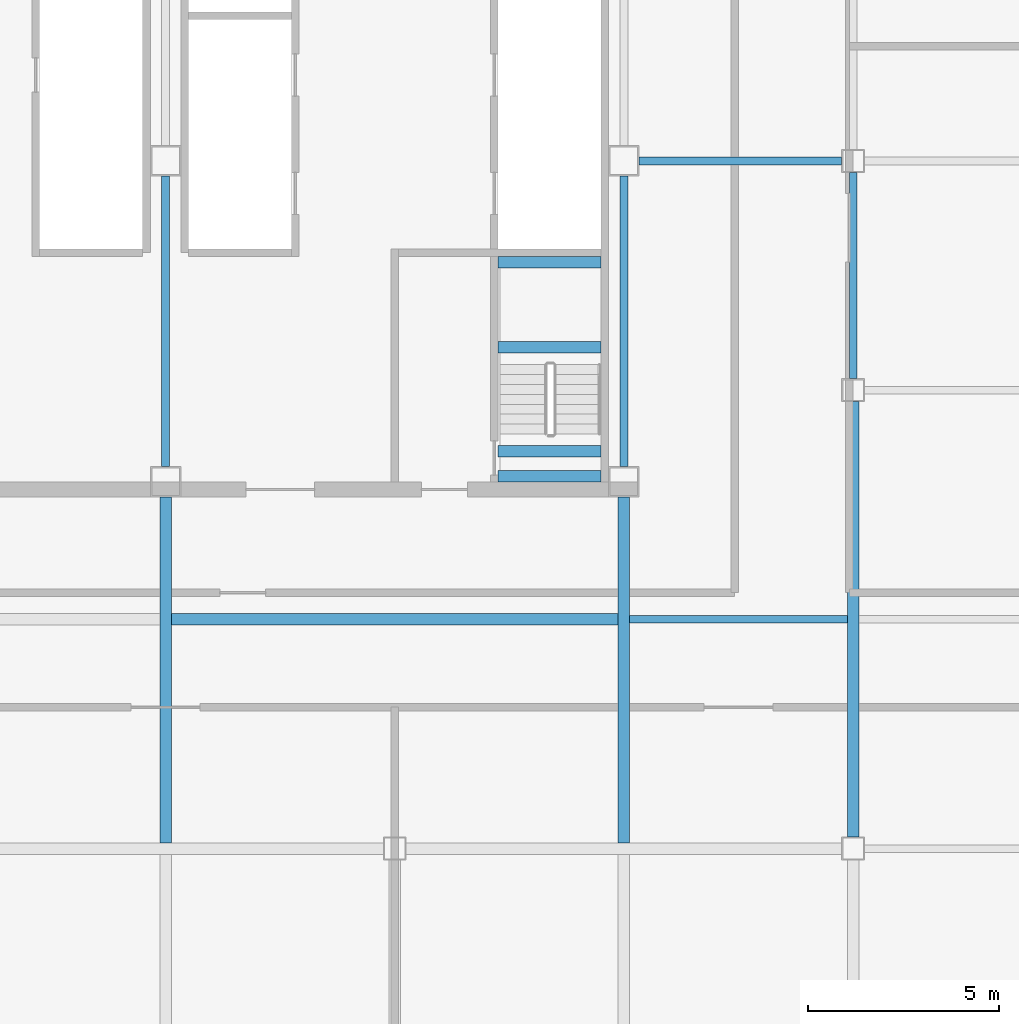
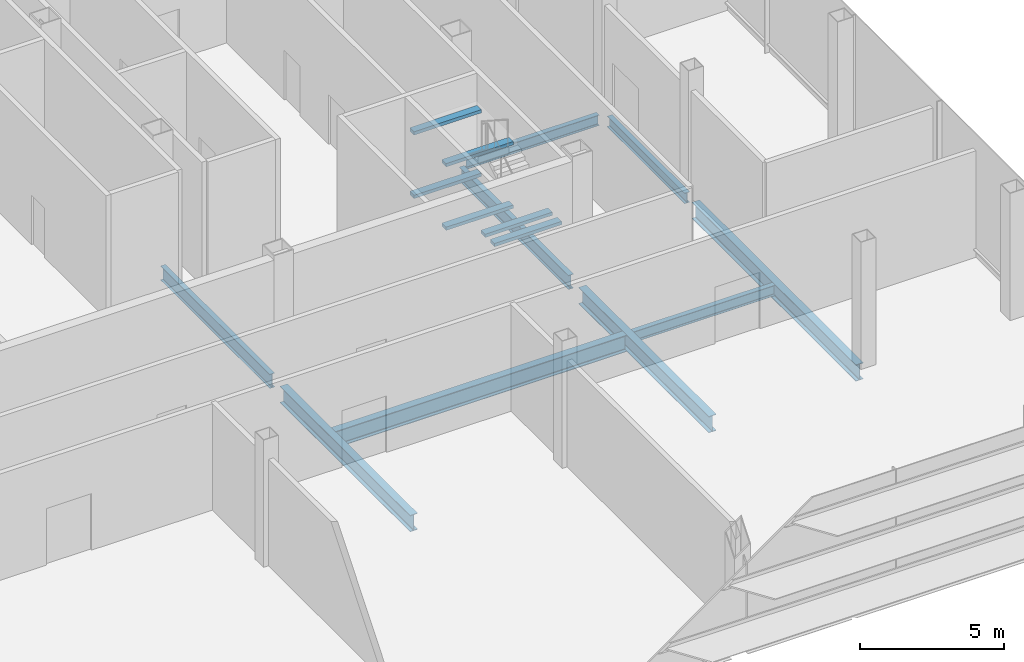
# One storey, part 9 of 25: 15 beams.
"""IFC4 building model written with IfcOpenShell, lengths in metres."""

from ifc_helpers import new_model, si_unit, direction, frame, origin, origin_2d, place, context, subcontext, project, spatial, rectangle, i_section, extrude, material, material_profile, profile_set, type_object, element, save


model = new_model("IFC4")

# Units and contexts
model_context = context("Model", 3, precision=1e-05, world=origin(), true_north=direction((0.0, 1.0)))
body_context = subcontext(model_context, "Body", "Model", "MODEL_VIEW")
ifc_project = project(units=[si_unit("LENGTHUNIT", "METRE"), si_unit("AREAUNIT", "SQUARE_METRE"), si_unit("VOLUMEUNIT", "CUBIC_METRE"), si_unit("PLANEANGLEUNIT", "RADIAN"), si_unit("MASSUNIT", "GRAM", prefix="KILO")], contexts=[model_context])

# Site, building, storey
site_placement = place(None, origin())
site = spatial("IfcSite", under=ifc_project, at=site_placement, CompositionType="ELEMENT")
building_placement = place(site_placement, origin())
building = spatial("IfcBuilding", under=site, at=building_placement, Name="Sorahane Residences", CompositionType="ELEMENT")
storey_placement = place(building_placement, frame((0.0, 0.0, 210.0)))
storey = spatial("IfcBuildingStorey", under=building, at=storey_placement, Name="L49", CompositionType="ELEMENT", Elevation=210.0)

# Beams
ifc_material_1 = material(Name="Concrete C40", Category="concrete")
ifc_material_profile_1 = material_profile(ifc_material_1, rectangle(XDim=0.300048828125, YDim=0.139892578125, at=origin_2d()), Name="300x140")
ifc_profile_set_1 = profile_set([ifc_material_profile_1], Name="Concrete C40")
beam_type_1 = type_object("IfcBeamType", Name="RC landing beam 300 x 140 Concrete C40", PredefinedType="BEAM", material=ifc_profile_set_1)
for number, where, z_axis, x_axis, name in (
    (1, (38.699951171875, 25.1201171875, 1.080078125), (1.0, 0.0, 0.0), (0.0, 1.0, 0.0), "Landing beam"),
    (2, (38.699951171875, 27.35009765625, 1.080078125), (1.0, 0.0, 0.0), (0.0, 1.0, 0.0), "Landing beam"),
    (3, (38.699951171875, 21.75, 2.429931640625), (1.0, 0.0, 0.0), (0.0, 1.0, 0.0), "Landing beam"),
    (4, (38.699951171875, 22.39990234375, 2.429931640625), (1.0, 0.0, 0.0), (0.0, 1.0, 0.0), "Landing beam"),
    (5, (38.699951171875, 25.1201171875, 3.780029296875), (1.0, 0.0, 0.0), (0.0, 1.0, 0.0), "Landing beam"),
    (6, (38.699951171875, 27.35009765625, 3.780029296875), (1.0, 0.0, 0.0), (0.0, 1.0, 0.0), "Landing beam"),
):
    element("IfcBeam", number, at=place(storey_placement, frame(where, z_axis=z_axis, x_axis=x_axis)), inside=storey, type_object=beam_type_1, Name=name, PredefinedType="BEAM", context=body_context, shape_type="SweptSolid", body=[
        extrude(rectangle(XDim=0.300048828125, YDim=0.139892578125, at=origin_2d()), origin(), (0.0, 0.0, 1.0), 2.699951171875),
    ])
ifc_material_2 = material(Name="Steel Q355B", Category="steel")
ifc_material_profile_2 = material_profile(ifc_material_2, i_section(OverallWidth=0.199951171875, OverallDepth=0.449951171875, WebThickness=0.009033203125, FlangeThickness=0.013916015625, FilletRadius=0.02001953125, at=origin_2d()), Name="HN 450x200x9x14")
ifc_profile_set_2 = profile_set([ifc_material_profile_2], Name="Steel Q355B")
beam_type_2 = type_object("IfcBeamType", Name="Steel floor beam HN 450x200x9x14 Q355B", PredefinedType="BEAM", material=ifc_profile_set_2)
beam_1_placement = place(storey_placement, frame((48.0, 24.300048828125, -0.445068359375), z_axis=(0.0, 1.0, 0.0), x_axis=(-1.0, 0.0, 0.0)))
element("IfcBeam", 7, at=beam_1_placement, inside=storey, type_object=beam_type_2, Name="Beam L49 060", PredefinedType="BEAM", context=body_context, shape_type="SweptSolid", body=[
    extrude(i_section(OverallWidth=0.199951171875, OverallDepth=0.449951171875, WebThickness=0.009033203125, FlangeThickness=0.013916015625, FilletRadius=0.02001953125, at=origin_2d()), origin(), (0.0, 0.0, 1.0), 5.39990234375),
])
beam_2_placement = place(storey_placement, frame((42.14990234375, 18.0, -0.445068359375), z_axis=(1.0, 0.0, 0.0), x_axis=(0.0, 1.0, 0.0)))
element("IfcBeam", 8, at=beam_2_placement, inside=storey, type_object=beam_type_2, Name="Beam L49 083", PredefinedType="BEAM", context=body_context, shape_type="SweptSolid", body=[
    extrude(i_section(OverallWidth=0.199951171875, OverallDepth=0.449951171875, WebThickness=0.009033203125, FlangeThickness=0.013916015625, FilletRadius=0.02001953125, at=origin_2d()), origin(), (0.0, 0.0, 1.0), 5.7001953125),
])
beam_3_placement = place(storey_placement, frame((42.39990234375, 30.0, -0.445068359375), z_axis=(1.0, 0.0, 0.0), x_axis=(0.0, 1.0, 0.0)))
element("IfcBeam", 9, at=beam_3_placement, inside=storey, type_object=beam_type_2, Name="Beam L49 087", PredefinedType="BEAM", context=body_context, shape_type="SweptSolid", body=[
    extrude(i_section(OverallWidth=0.199951171875, OverallDepth=0.449951171875, WebThickness=0.009033203125, FlangeThickness=0.013916015625, FilletRadius=0.02001953125, at=origin_2d()), origin(), (0.0, 0.0, 1.0), 5.300048828125),
])
ifc_material_3 = material(Name="Steel Q355B", Category="steel")
ifc_material_profile_3 = material_profile(ifc_material_3, i_section(OverallWidth=0.199951171875, OverallDepth=0.60009765625, WebThickness=0.010986328125, FlangeThickness=0.01708984375, FilletRadius=0.02392578125, at=origin_2d()), Name="HN 600x200x11x17")
ifc_profile_set_3 = profile_set([ifc_material_profile_3], Name="Steel Q355B")
beam_type_3 = type_object("IfcBeamType", Name="Steel floor beam HN 600x200x11x17 Q355B", PredefinedType="BEAM", material=ifc_profile_set_3)
for number, where, z_axis, x_axis, name in (
    (10, (30.0, 22.0, -0.52001953125), (0.0, 1.0, 0.0), (-1.0, 0.0, 0.0), "Beam L49 046"),
    (11, (42.0, 22.0, -0.52001953125), (0.0, 1.0, 0.0), (-1.0, 0.0, 0.0), "Beam L49 054"),
):
    element("IfcBeam", number, at=place(storey_placement, frame(where, z_axis=z_axis, x_axis=x_axis)), inside=storey, type_object=beam_type_3, Name=name, PredefinedType="BEAM", context=body_context, shape_type="SweptSolid", body=[
        extrude(i_section(OverallWidth=0.199951171875, OverallDepth=0.60009765625, WebThickness=0.010986328125, FlangeThickness=0.01708984375, FilletRadius=0.02392578125, at=origin_2d()), origin(), (0.0, 0.0, 1.0), 7.60009765625),
    ])
ifc_material_4 = material(Name="Steel Q355B", Category="steel")
ifc_material_profile_4 = material_profile(ifc_material_4, i_section(OverallWidth=0.300048828125, OverallDepth=0.699951171875, WebThickness=0.012939453125, FlangeThickness=0.02392578125, FilletRadius=0.028076171875, at=origin_2d()), Name="HN 700x300x13x24")
ifc_profile_set_4 = profile_set([ifc_material_profile_4], Name="Steel Q355B")
beam_type_4 = type_object("IfcBeamType", Name="Steel floor beam HN 700x300x13x24 Q355B", PredefinedType="BEAM", material=ifc_profile_set_4)
for number, where, z_axis, x_axis, name in (
    (12, (30.0, 12.14990234375, -0.570068359375), (0.0, 1.0, 0.0), (-1.0, 0.0, 0.0), "Beam L49 045"),
    (13, (42.0, 12.14990234375, -0.570068359375), (0.0, 1.0, 0.0), (-1.0, 0.0, 0.0), "Beam L49 053"),
):
    element("IfcBeam", number, at=place(storey_placement, frame(where, z_axis=z_axis, x_axis=x_axis)), inside=storey, type_object=beam_type_4, Name=name, PredefinedType="BEAM", context=body_context, shape_type="SweptSolid", body=[
        extrude(i_section(OverallWidth=0.300048828125, OverallDepth=0.699951171875, WebThickness=0.012939453125, FlangeThickness=0.02392578125, FilletRadius=0.028076171875, at=origin_2d()), origin(), (0.0, 0.0, 1.0), 9.050048828125),
    ])
beam_4_placement = place(storey_placement, frame((48.0, 12.300048828125, -0.570068359375), z_axis=(0.0, 1.0, 0.0), x_axis=(-1.0, 0.0, 0.0)))
element("IfcBeam", 14, at=beam_4_placement, inside=storey, type_object=beam_type_4, Name="Beam L49 059", PredefinedType="BEAM", context=body_context, shape_type="SweptSolid", body=[
    extrude(i_section(OverallWidth=0.300048828125, OverallDepth=0.699951171875, WebThickness=0.012939453125, FlangeThickness=0.02392578125, FilletRadius=0.028076171875, at=origin_2d()), origin(), (0.0, 0.0, 1.0), 11.39990234375),
])
beam_5_placement = place(storey_placement, frame((30.14990234375, 18.0, -0.570068359375), z_axis=(1.0, 0.0, 0.0), x_axis=(0.0, 1.0, 0.0)))
element("IfcBeam", 15, at=beam_5_placement, inside=storey, type_object=beam_type_4, Name="Beam L49 082", PredefinedType="BEAM", context=body_context, shape_type="SweptSolid", body=[
    extrude(i_section(OverallWidth=0.300048828125, OverallDepth=0.699951171875, WebThickness=0.012939453125, FlangeThickness=0.02392578125, FilletRadius=0.028076171875, at=origin_2d()), origin(), (0.0, 0.0, 1.0), 11.7001953125),
])

save(model, "model.ifc")
